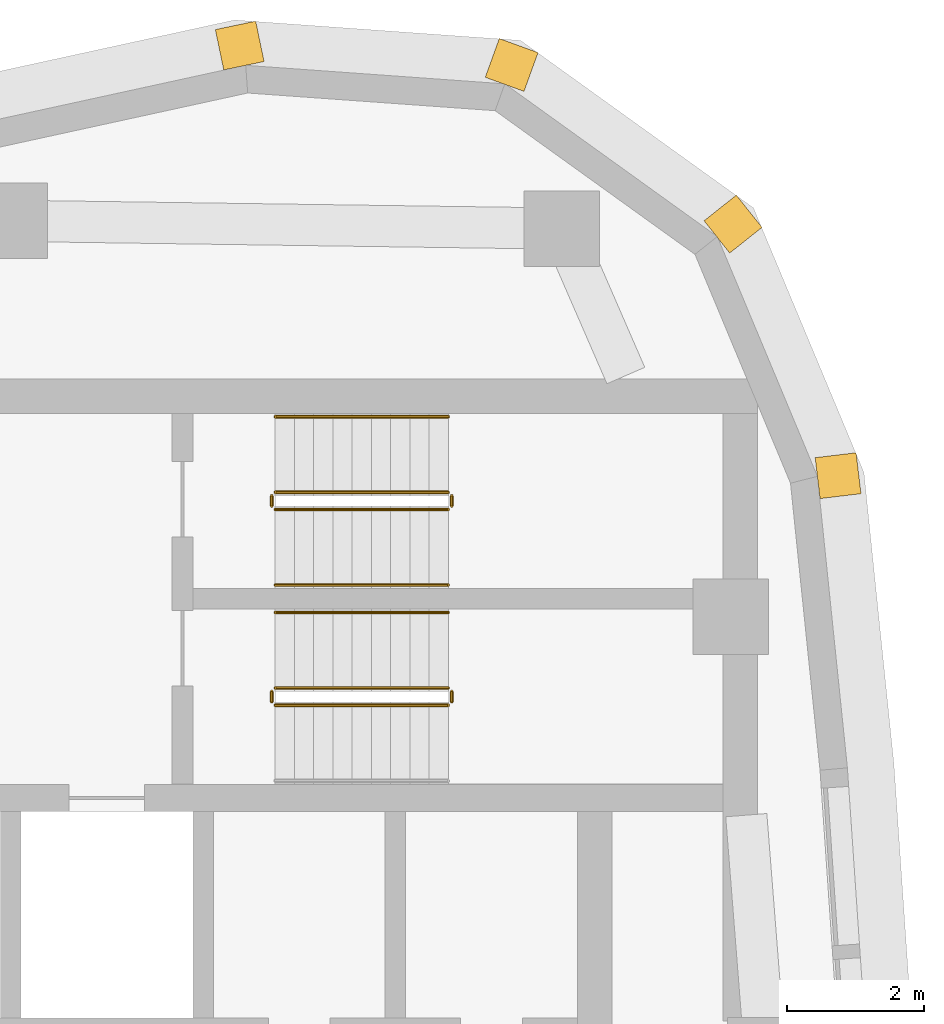
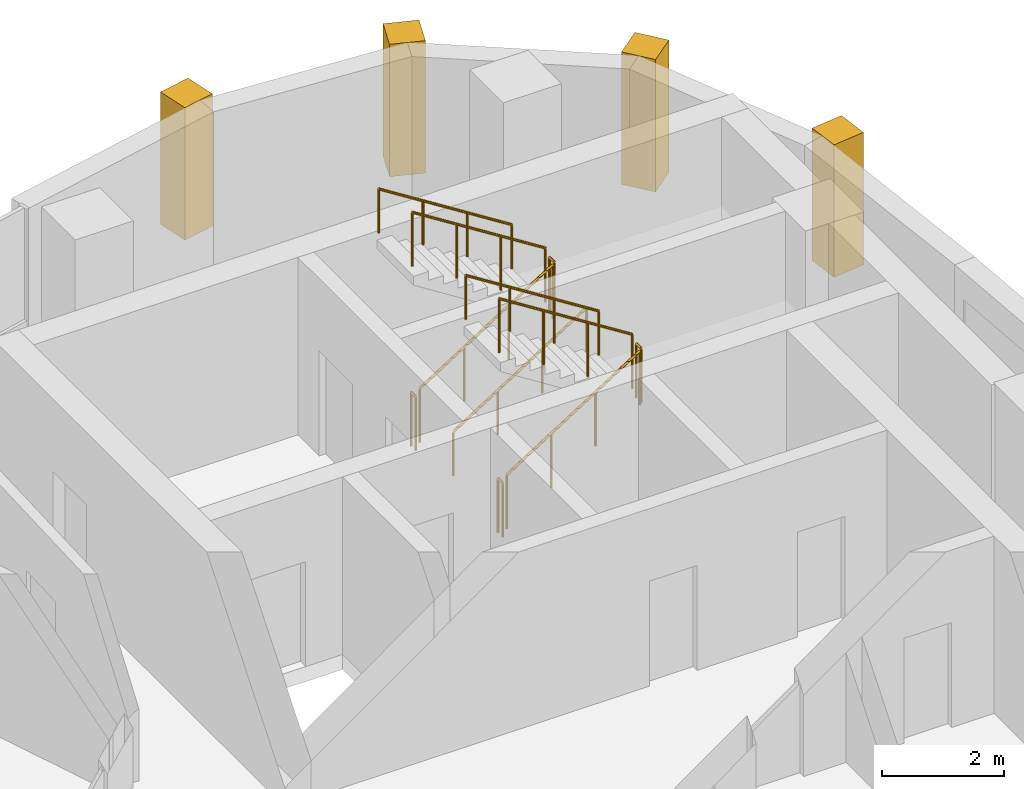
# One storey, part 14 of 14: 11 railings, 4 coverings.
"""IFC4 building model written with IfcOpenShell, lengths in metres."""

from ifc_helpers import new_model, si_unit, direction, frame, frame_2d, origin, origin_2d, place, context, subcontext, project, spatial, rectangle, circle, extrude, material, layer, layer_set, type_object, element, save


model = new_model("IFC4")

# Units and contexts
model_context = context("Model", 3, precision=1e-05, world=origin(), true_north=direction((0.0, 1.0)))
body_context = subcontext(model_context, "Body", "Model", "MODEL_VIEW")
ifc_project = project(units=[si_unit("LENGTHUNIT", "METRE"), si_unit("AREAUNIT", "SQUARE_METRE"), si_unit("VOLUMEUNIT", "CUBIC_METRE"), si_unit("PLANEANGLEUNIT", "RADIAN"), si_unit("MASSUNIT", "GRAM", prefix="KILO")], contexts=[model_context])

# Site, building, storey
site_placement = place(None, origin())
site = spatial("IfcSite", under=ifc_project, at=site_placement, CompositionType="ELEMENT")
building_placement = place(site_placement, origin())
building = spatial("IfcBuilding", under=site, at=building_placement, Name="Ostrand Prow Hotel Tower", CompositionType="ELEMENT")
storey_placement = place(building_placement, frame((0.0, 0.0, 289.199951171875)))
storey = spatial("IfcBuildingStorey", under=building, at=storey_placement, Name="L73", CompositionType="ELEMENT", Elevation=289.199951171875)

# Coverings
ifc_material_1 = material(Name="Limestone cladding", Category="masonry")
ifc_layer = layer(ifc_material_1, 0.60009765625)
ifc_layer_set = layer_set([ifc_layer], Name="Limestone cladding")
covering_type = type_object("IfcCoveringType", Name="Precast stone prow rib 600x600", PredefinedType="CLADDING", material=ifc_layer_set)
covering_1_placement = place(storey_placement, frame((65.0966796875, 14.806396484375, 0.60009765625), z_axis=(0.0, 0.0, 1.0), x_axis=(0.992867207971, 0.119225447515, 0.0)))
element("IfcCovering", 1, at=covering_1_placement, inside=storey, type_object=covering_type, Name="Stone corner rib 12a", PredefinedType="CLADDING", context=body_context, shape_type="SweptSolid", body=[
    extrude(rectangle(XDim=0.60009765625, YDim=0.60009765625, at=frame_2d((0.300048828125, 0.0))), origin(), (0.0, 0.0, 1.0), 2.64990234375),
])
for number, where, z_axis, x_axis, name in (
    (2, (63.630615234375, 18.318359375, 0.60009765625), (0.0, 0.0, 1.0), (0.782731736812, 0.622359243674, 0.0), "Stone corner rib 13a"),
    (3, (60.540283203125, 20.539794921875, 0.60009765625), (0.0, 0.0, 1.0), (0.340664419472, 0.940184956966, 0.0), "Stone corner rib 14a"),
):
    element("IfcCovering", number, at=place(storey_placement, frame(where, z_axis=z_axis, x_axis=x_axis)), inside=storey, type_object=covering_type, Name=name, PredefinedType="CLADDING", context=body_context, shape_type="SweptSolid", body=[
        extrude(rectangle(XDim=0.599853515625, YDim=0.60009765625, at=frame_2d((0.2998046875, 0.0))), origin(), (0.0, 0.0, 1.0), 2.64990234375),
    ])
covering_2_placement = place(storey_placement, frame((56.744384765625, 20.810546875, 0.60009765625), z_axis=(0.0, 0.0, 1.0), x_axis=(-0.203385687349, 0.979098698897, 0.0)))
element("IfcCovering", 4, at=covering_2_placement, inside=storey, type_object=covering_type, Name="Stone corner rib 14b", PredefinedType="CLADDING", context=body_context, shape_type="SweptSolid", body=[
    extrude(rectangle(XDim=0.60009765625, YDim=0.60009765625, at=frame_2d((0.300048828125, 0.0))), origin(), (0.0, 0.0, 1.0), 2.64990234375),
])

# Railings
ifc_material_2 = material(Name="Painted steel", Category="steel")
railing_type_1 = type_object("IfcRailingType", Name="Stair guard 1100", PredefinedType="GUARDRAIL", material=ifc_material_2)
railing_1_placement = place(storey_placement, frame((57.199951171875, 11.5, 0.177490234375)))
element("IfcRailing", 5, at=railing_1_placement, inside=storey, type_object=railing_type_1, Name="L73 ST1C stair guard 1", PredefinedType="GUARDRAIL", context=body_context, shape_type="SweptSolid", body=[
    extrude(circle(Radius=0.02392578125, at=origin_2d()), frame((0.0, 0.0, 1.076171875), z_axis=(0.84456994832, 0.0, 0.535445237532), x_axis=(0.0, 1.0, 0.0)), (0.0, 0.0, 1.0), 2.98388671875),
    extrude(circle(Radius=0.02099609375, at=origin_2d()), origin(), (0.0, 0.0, 1.0), 1.052001953125),
    extrude(circle(Radius=0.02099609375, at=origin_2d()), frame((0.840087890625, 0.0, 0.532470703125)), (0.0, 0.0, 1.0), 1.052001953125),
    extrude(circle(Radius=0.02099609375, at=origin_2d()), frame((1.679931640625, 0.0, 1.065185546875)), (0.0, 0.0, 1.0), 1.052001953125),
    extrude(circle(Radius=0.02099609375, at=origin_2d()), frame((2.52001953125, 0.0, 1.59765625)), (0.0, 0.0, 1.0), 1.052001953125),
])
railing_2_placement = place(storey_placement, frame((59.77001953125, 11.550048828125, 1.775146484375)))
element("IfcRailing", 6, at=railing_2_placement, inside=storey, type_object=railing_type_1, Name="L73 ST1C stair guard 2", PredefinedType="GUARDRAIL", context=body_context, shape_type="SweptSolid", body=[
    extrude(circle(Radius=0.02392578125, at=origin_2d()), frame((0.0, 0.0, 1.076171875), z_axis=(0.0, 1.0, 0.0), x_axis=(-1.0, 0.0, 0.0)), (0.0, 0.0, 1.0), 0.14990234375),
    extrude(circle(Radius=0.02099609375, at=origin_2d()), origin(), (0.0, 0.0, 1.0), 1.052001953125),
    extrude(circle(Radius=0.02099609375, at=origin_2d()), frame((0.0, 0.14990234375, 0.0)), (0.0, 0.0, 1.0), 1.052001953125),
])
railing_3_placement = place(storey_placement, frame((59.719970703125, 11.75, 1.95263671875)))
element("IfcRailing", 7, at=railing_3_placement, inside=storey, type_object=railing_type_1, Name="L73 ST1C stair guard 3", PredefinedType="GUARDRAIL", context=body_context, shape_type="SweptSolid", body=[
    extrude(circle(Radius=0.02392578125, at=origin_2d()), frame((0.0, 0.0, 1.076171875), z_axis=(-0.84460694969, 0.0, 0.535386869969), x_axis=(0.0, -1.0, 0.0)), (0.0, 0.0, 1.0), 2.983642578125),
    extrude(circle(Radius=0.02099609375, at=origin_2d()), origin(), (0.0, 0.0, 1.0), 1.052001953125),
    extrude(circle(Radius=0.02099609375, at=origin_2d()), frame((-0.840087890625, 0.0, 0.532470703125)), (0.0, 0.0, 1.0), 1.052001953125),
    extrude(circle(Radius=0.02099609375, at=origin_2d()), frame((-1.679931640625, 0.0, 1.06494140625)), (0.0, 0.0, 1.0), 1.052001953125),
    extrude(circle(Radius=0.02099609375, at=origin_2d()), frame((-2.52001953125, 0.0, 1.597412109375)), (0.0, 0.0, 1.0), 1.052001953125),
])
railing_4_placement = place(storey_placement, frame((57.14990234375, 11.550048828125, 0.0)))
element("IfcRailing", 8, at=railing_4_placement, inside=storey, type_object=railing_type_1, Name="L73 ST1C stair guard 4", PredefinedType="GUARDRAIL", context=body_context, shape_type="SweptSolid", body=[
    extrude(circle(Radius=0.02392578125, at=origin_2d()), frame((0.0, 0.0, 1.076171875), z_axis=(0.0, 1.0, 0.0), x_axis=(-1.0, 0.0, 0.0)), (0.0, 0.0, 1.0), 0.14990234375),
    extrude(circle(Radius=0.02099609375, at=origin_2d()), origin(), (0.0, 0.0, 1.0), 1.052001953125),
    extrude(circle(Radius=0.02099609375, at=origin_2d()), frame((0.0, 0.14990234375, 0.0)), (0.0, 0.0, 1.0), 1.052001953125),
])
railing_5_placement = place(storey_placement, frame((57.199951171875, 14.35009765625, 0.177490234375)))
element("IfcRailing", 9, at=railing_5_placement, inside=storey, type_object=railing_type_1, Name="L73 ST3C stair guard 1", PredefinedType="GUARDRAIL", context=body_context, shape_type="SweptSolid", body=[
    extrude(circle(Radius=0.02392578125, at=origin_2d()), frame((0.0, 0.0, 1.076171875), z_axis=(0.84456994832, 0.0, 0.535445237532), x_axis=(0.0, 1.0, 0.0)), (0.0, 0.0, 1.0), 2.98388671875),
    extrude(circle(Radius=0.02099609375, at=origin_2d()), origin(), (0.0, 0.0, 1.0), 1.052001953125),
    extrude(circle(Radius=0.02099609375, at=origin_2d()), frame((0.840087890625, 0.0, 0.532470703125)), (0.0, 0.0, 1.0), 1.052001953125),
    extrude(circle(Radius=0.02099609375, at=origin_2d()), frame((1.679931640625, 0.0, 1.065185546875)), (0.0, 0.0, 1.0), 1.052001953125),
    extrude(circle(Radius=0.02099609375, at=origin_2d()), frame((2.52001953125, 0.0, 1.59765625)), (0.0, 0.0, 1.0), 1.052001953125),
])
railing_6_placement = place(storey_placement, frame((59.77001953125, 14.39990234375, 1.775146484375)))
element("IfcRailing", 10, at=railing_6_placement, inside=storey, type_object=railing_type_1, Name="L73 ST3C stair guard 2", PredefinedType="GUARDRAIL", context=body_context, shape_type="SweptSolid", body=[
    extrude(circle(Radius=0.02392578125, at=origin_2d()), frame((0.0, 0.0, 1.076171875), z_axis=(0.0, 1.0, 0.0), x_axis=(-1.0, 0.0, 0.0)), (0.0, 0.0, 1.0), 0.150146484375),
    extrude(circle(Radius=0.02099609375, at=origin_2d()), origin(), (0.0, 0.0, 1.0), 1.052001953125),
    extrude(circle(Radius=0.02099609375, at=origin_2d()), frame((0.0, 0.150146484375, 0.0)), (0.0, 0.0, 1.0), 1.052001953125),
])
railing_7_placement = place(storey_placement, frame((59.719970703125, 14.60009765625, 1.95263671875)))
element("IfcRailing", 11, at=railing_7_placement, inside=storey, type_object=railing_type_1, Name="L73 ST3C stair guard 3", PredefinedType="GUARDRAIL", context=body_context, shape_type="SweptSolid", body=[
    extrude(circle(Radius=0.02392578125, at=origin_2d()), frame((0.0, 0.0, 1.076171875), z_axis=(-0.84460694969, 0.0, 0.535386869969), x_axis=(0.0, -1.0, 0.0)), (0.0, 0.0, 1.0), 2.983642578125),
    extrude(circle(Radius=0.02099609375, at=origin_2d()), origin(), (0.0, 0.0, 1.0), 1.052001953125),
    extrude(circle(Radius=0.02099609375, at=origin_2d()), frame((-0.840087890625, 0.0, 0.532470703125)), (0.0, 0.0, 1.0), 1.052001953125),
    extrude(circle(Radius=0.02099609375, at=origin_2d()), frame((-1.679931640625, 0.0, 1.06494140625)), (0.0, 0.0, 1.0), 1.052001953125),
    extrude(circle(Radius=0.02099609375, at=origin_2d()), frame((-2.52001953125, 0.0, 1.597412109375)), (0.0, 0.0, 1.0), 1.052001953125),
])
railing_8_placement = place(storey_placement, frame((57.14990234375, 14.39990234375, 0.0)))
element("IfcRailing", 12, at=railing_8_placement, inside=storey, type_object=railing_type_1, Name="L73 ST3C stair guard 4", PredefinedType="GUARDRAIL", context=body_context, shape_type="SweptSolid", body=[
    extrude(circle(Radius=0.02392578125, at=origin_2d()), frame((0.0, 0.0, 1.076171875), z_axis=(0.0, 1.0, 0.0), x_axis=(-1.0, 0.0, 0.0)), (0.0, 0.0, 1.0), 0.150146484375),
    extrude(circle(Radius=0.02099609375, at=origin_2d()), origin(), (0.0, 0.0, 1.0), 1.052001953125),
    extrude(circle(Radius=0.02099609375, at=origin_2d()), frame((0.0, 0.150146484375, 0.0)), (0.0, 0.0, 1.0), 1.052001953125),
])
ifc_material_3 = material(Name="Stainless steel", Category="steel")
railing_type_2 = type_object("IfcRailingType", Name="Stair handrail 900", PredefinedType="HANDRAIL", material=ifc_material_3)
railing_9_placement = place(storey_placement, frame((59.719970703125, 12.85009765625, 1.95263671875)))
element("IfcRailing", 13, at=railing_9_placement, inside=storey, type_object=railing_type_2, Name="L73 ST1C stair handrail 2", PredefinedType="HANDRAIL", context=body_context, shape_type="SweptSolid", body=[
    extrude(circle(Radius=0.02392578125, at=origin_2d()), frame((0.0, 0.0, 0.8759765625), z_axis=(-0.84460694969, 0.0, 0.535386869969), x_axis=(0.0, -1.0, 0.0)), (0.0, 0.0, 1.0), 2.983642578125),
    extrude(circle(Radius=0.02099609375, at=origin_2d()), origin(), (0.0, 0.0, 1.0), 0.851806640625),
    extrude(circle(Radius=0.02099609375, at=origin_2d()), frame((-0.840087890625, 0.0, 0.532470703125)), (0.0, 0.0, 1.0), 0.851806640625),
    extrude(circle(Radius=0.02099609375, at=origin_2d()), frame((-1.679931640625, 0.0, 1.06494140625)), (0.0, 0.0, 1.0), 0.851806640625),
    extrude(circle(Radius=0.02099609375, at=origin_2d()), frame((-2.52001953125, 0.0, 1.597412109375)), (0.0, 0.0, 1.0), 0.851806640625),
])
railing_10_placement = place(storey_placement, frame((57.199951171875, 13.25, 0.177490234375)))
element("IfcRailing", 14, at=railing_10_placement, inside=storey, type_object=railing_type_2, Name="L73 ST3C stair handrail 1", PredefinedType="HANDRAIL", context=body_context, shape_type="SweptSolid", body=[
    extrude(circle(Radius=0.02392578125, at=origin_2d()), frame((0.0, 0.0, 0.8759765625), z_axis=(0.84456994832, 0.0, 0.535445237532), x_axis=(0.0, 1.0, 0.0)), (0.0, 0.0, 1.0), 2.98388671875),
    extrude(circle(Radius=0.02099609375, at=origin_2d()), origin(), (0.0, 0.0, 1.0), 0.851806640625),
    extrude(circle(Radius=0.02099609375, at=origin_2d()), frame((0.840087890625, 0.0, 0.532470703125)), (0.0, 0.0, 1.0), 0.851806640625),
    extrude(circle(Radius=0.02099609375, at=origin_2d()), frame((1.679931640625, 0.0, 1.065185546875)), (0.0, 0.0, 1.0), 0.851806640625),
    extrude(circle(Radius=0.02099609375, at=origin_2d()), frame((2.52001953125, 0.0, 1.59765625)), (0.0, 0.0, 1.0), 0.851806640625),
])
railing_11_placement = place(storey_placement, frame((59.719970703125, 15.699951171875, 1.95263671875)))
element("IfcRailing", 15, at=railing_11_placement, inside=storey, type_object=railing_type_2, Name="L73 ST3C stair handrail 2", PredefinedType="HANDRAIL", context=body_context, shape_type="SweptSolid", body=[
    extrude(circle(Radius=0.02392578125, at=origin_2d()), frame((0.0, 0.0, 0.8759765625), z_axis=(-0.84460694969, 0.0, 0.535386869969), x_axis=(0.0, -1.0, 0.0)), (0.0, 0.0, 1.0), 2.983642578125),
    extrude(circle(Radius=0.02099609375, at=origin_2d()), origin(), (0.0, 0.0, 1.0), 0.851806640625),
    extrude(circle(Radius=0.02099609375, at=origin_2d()), frame((-0.840087890625, 0.0, 0.532470703125)), (0.0, 0.0, 1.0), 0.851806640625),
    extrude(circle(Radius=0.02099609375, at=origin_2d()), frame((-1.679931640625, 0.0, 1.06494140625)), (0.0, 0.0, 1.0), 0.851806640625),
    extrude(circle(Radius=0.02099609375, at=origin_2d()), frame((-2.52001953125, 0.0, 1.597412109375)), (0.0, 0.0, 1.0), 0.851806640625),
])

save(model, "model.ifc")
